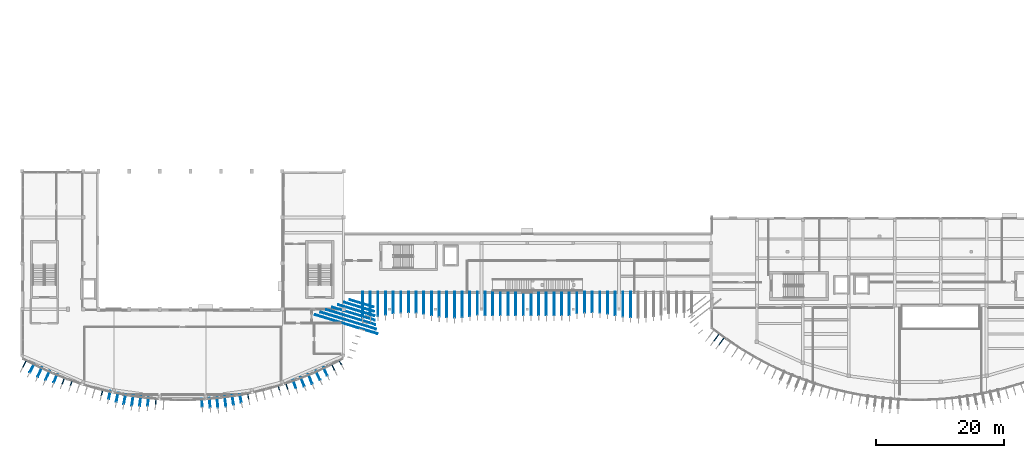
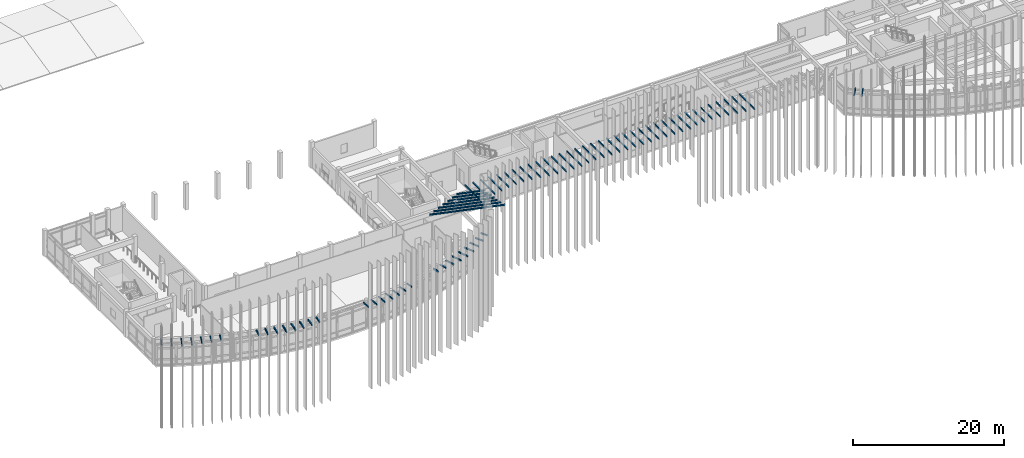
# One storey, part 36 of 47: 76 discrete accessories.
"""IFC4 building model written with IfcOpenShell, lengths in metres."""

import ifcopenshell
import ifcopenshell.guid

model = None  # the IFC model being written
_history = None  # IfcOwnerHistory: only IFC2X3 demands one
_inside = {}  # id of a spatial element -> (the spatial element, [elements in it])
_under = {}  # id of a project, library or spatial element -> (it, [spatial elements below it])
_declared = {}  # id of a project -> (the project, [libraries it declares])
_typed = {}  # id of a type object -> (the type object, [elements of that type])
_made_of = {}  # id of a material, layer set ... -> (it, [elements and type objects made of it])


def new_model(schema):
    """Start an empty IFC model of exactly this schema.

    Asked for "IFC4X3", IfcOpenShell would pick the latest addendum, in which some entities
    have other attributes; the version numbers below select the first issue.
    IFC2X3 requires an IfcOwnerHistory on every rooted entity: one is made here for all.
    """
    global model, _history
    if schema == "IFC4X3":
        model = ifcopenshell.file(schema_version=(4, 3, 0, 0))
    else:
        model = ifcopenshell.file(schema=schema)
    _inside.clear()
    _under.clear()
    _declared.clear()
    _typed.clear()
    _made_of.clear()
    _history = None
    if model.schema == "IFC2X3":
        org = make("IfcOrganization", Name="unknown")
        user = make(
            "IfcPersonAndOrganization",
            ThePerson=make("IfcPerson", FamilyName="unknown"),
            TheOrganization=org,
        )
        app = make(
            "IfcApplication",
            ApplicationDeveloper=org,
            Version="unknown",
            ApplicationFullName="unknown",
            ApplicationIdentifier="unknown",
        )
        _history = make(
            "IfcOwnerHistory",
            OwningUser=user,
            OwningApplication=app,
            ChangeAction="ADDED",
            CreationDate=0,
        )
    return model


def make(cls, **values):
    """One entity of the class cls with the attributes given. An attribute that is None is left unset."""
    return model.create_entity(
        cls, **{name: value for name, value in values.items() if value is not None}
    )


def rooted(cls, **values):
    """An entity with a GlobalId (a new one), such as an element, a storey or a relation."""
    return make(cls, GlobalId=ifcopenshell.guid.new(), OwnerHistory=_history, **values)


def si_unit(unit_type, name, prefix=None):
    """IfcSIUnit, for example si_unit("LENGTHUNIT", "METRE", prefix="MILLI")."""
    return make("IfcSIUnit", UnitType=unit_type, Prefix=prefix, Name=name)


def assignment(units):
    """IfcUnitAssignment: the units of a project."""
    return None if units is None else make("IfcUnitAssignment", Units=units)


def point(xyz):
    """IfcCartesianPoint."""
    return None if xyz is None else make("IfcCartesianPoint", Coordinates=xyz)


def direction(xyz):
    """IfcDirection."""
    return None if xyz is None else make("IfcDirection", DirectionRatios=xyz)


def frame(location, z_axis=None, x_axis=None):
    """IfcAxis2Placement3D, a coordinate frame: its origin and axes. An axis left out is left unset."""
    return make(
        "IfcAxis2Placement3D",
        Location=point(location),
        Axis=direction(z_axis),
        RefDirection=direction(x_axis),
    )


def frame_2d(location, x_axis=None):
    """IfcAxis2Placement2D, a coordinate frame in the plane: its origin and x axis."""
    return make(
        "IfcAxis2Placement2D", Location=point(location), RefDirection=direction(x_axis)
    )


def origin():
    """The frame at (0, 0, 0) with its axes left unset."""
    return frame((0.0, 0.0, 0.0))


def origin_2d():
    """The frame at (0, 0) in the plane with its x axis left unset."""
    return frame_2d((0.0, 0.0))


def place(relative_to, where):
    """IfcLocalPlacement: puts the frame where relative to a parent placement (None: the world)."""
    return make(
        "IfcLocalPlacement", PlacementRelTo=relative_to, RelativePlacement=where
    )


def context(
    kind, dimensions, precision=None, world=None, true_north=None, identifier=None
):
    """IfcGeometricRepresentationContext, for example the 3D "Model" context."""
    return make(
        "IfcGeometricRepresentationContext",
        ContextIdentifier=identifier,
        ContextType=kind,
        CoordinateSpaceDimension=dimensions,
        Precision=precision,
        WorldCoordinateSystem=world,
        TrueNorth=true_north,
    )


def subcontext(parent, identifier, kind, view, scale=None):
    """IfcGeometricRepresentationSubContext, for example "Body" below "Model"."""
    return make(
        "IfcGeometricRepresentationSubContext",
        ContextIdentifier=identifier,
        ContextType=kind,
        ParentContext=parent,
        TargetScale=scale,
        TargetView=view,
    )


def project(units=None, contexts=None):
    """IfcProject with its units and contexts."""
    return rooted(
        "IfcProject",
        Name="project",
        RepresentationContexts=contexts,
        UnitsInContext=assignment(units),
    )


def spatial(cls, under=None, at=None, **own):
    """A site, building, storey or space (cls), placed at a placement, below another one or the project."""
    s = rooted(cls, ObjectPlacement=at, **own)
    if under is not None:
        _under.setdefault(under.id(), (under, []))[1].append(s)
    return s


def profile(cls, at=None, kind="AREA", **sizes):
    """A parametric profile (cls). Its sizes go by their IFC names, for example OverallWidth=200.0."""
    return make(cls, ProfileType=kind, Position=at, **sizes)


def rectangle(**sizes):
    """IfcRectangleProfileDef."""
    return profile("IfcRectangleProfileDef", **sizes)


def extrude(swept, where, along, depth):
    """IfcExtrudedAreaSolid: the profile swept, set in the frame where, extruded along a direction by depth."""
    return make(
        "IfcExtrudedAreaSolid",
        SweptArea=swept,
        Position=where,
        ExtrudedDirection=direction(along),
        Depth=depth,
    )


def shape(context_of_items, identifier, shape_type, items):
    """IfcShapeRepresentation: the items that make up one representation, for example the "Body"."""
    return make(
        "IfcShapeRepresentation",
        ContextOfItems=context_of_items,
        RepresentationIdentifier=identifier,
        RepresentationType=shape_type,
        Items=items,
    )


def material(Name=None, Category=None):
    """IfcMaterial."""
    return make("IfcMaterial", Name=Name, Category=Category)


def made_of(thing, what):
    """Note that an element or type object is made of a material, layer set ...; save() writes the relation."""
    if what is not None:
        _made_of.setdefault(what.id(), (what, []))[1].append(thing)
    return thing


def type_object(cls, material=None, **own):
    """A type object (cls), such as IfcWallType, which elements share."""
    return made_of(rooted(cls, **own), material)


def element(
    cls,
    number,
    at=None,
    inside=None,
    cuts=None,
    type_object=None,
    material=None,
    context=None,
    identifier="Body",
    shape_type=None,
    held_by="IfcProductDefinitionShape",
    body=None,
    shapes=None,
    **own,
):
    """One element of the class cls, such as IfcWall. Its Tag is "e" and its number.

    at: its placement. inside: the storey or other place that contains it. cuts: it is an
    opening in that element (IfcRelVoidsElement). A single representation is given by context,
    identifier, shape_type and body (its items); several are given by shapes. held_by: the class
    of the entity that holds the representations. save() writes the other relations.
    """
    e = rooted(cls, Tag="e%d" % number, ObjectPlacement=at, **own)
    if body is not None:
        shapes = [shape(context, identifier, shape_type, body)]
    if shapes is not None:
        e.Representation = make(held_by, Representations=shapes)
    if inside is not None:
        _inside.setdefault(inside.id(), (inside, []))[1].append(e)
    if cuts is not None:
        rooted(
            "IfcRelVoidsElement", RelatingBuildingElement=cuts, RelatedOpeningElement=e
        )
    if type_object is not None:
        _typed.setdefault(type_object.id(), (type_object, []))[1].append(e)
    return made_of(e, material)


def aggregate(whole, parts):
    """IfcRelAggregates: a whole, such as a stair, and the parts it consists of."""
    return rooted("IfcRelAggregates", RelatingObject=whole, RelatedObjects=parts)


def save(model, path):
    """Write the relations noted so far, then the file.

    IfcRelAggregates (storeys below a building ...), IfcRelContainedInSpatialStructure (elements
    in a storey), IfcRelDefinesByType, IfcRelAssociatesMaterial and IfcRelDeclares: one each for
    every whole, place, type object, material and project.
    """
    for whole, parts in _under.values():
        aggregate(whole, parts)
    for where, things in _inside.values():
        rooted(
            "IfcRelContainedInSpatialStructure",
            RelatedElements=things,
            RelatingStructure=where,
        )
    for kind, things in _typed.values():
        rooted("IfcRelDefinesByType", RelatedObjects=things, RelatingType=kind)
    for what, things in _made_of.values():
        rooted("IfcRelAssociatesMaterial", RelatedObjects=things, RelatingMaterial=what)
    for by, libraries in _declared.values():
        rooted("IfcRelDeclares", RelatingContext=by, RelatedDefinitions=libraries)
    model.write(path)


model = new_model("IFC4")

# Units and contexts
model_context = context("Model", 3, precision=1e-05, world=origin(), true_north=direction((0.0, 1.0)))
body_context = subcontext(model_context, "Body", "Model", "MODEL_VIEW")
ifc_project = project(units=[si_unit("LENGTHUNIT", "METRE"), si_unit("AREAUNIT", "SQUARE_METRE"), si_unit("VOLUMEUNIT", "CUBIC_METRE"), si_unit("PLANEANGLEUNIT", "RADIAN"), si_unit("MASSUNIT", "GRAM", prefix="KILO")], contexts=[model_context])

# Site, building, storey
site_placement = place(None, origin())
site = spatial("IfcSite", under=ifc_project, at=site_placement, CompositionType="ELEMENT")
building_placement = place(site_placement, origin())
building = spatial("IfcBuilding", under=site, at=building_placement, Name="Brisavento Harbour Community Centre", CompositionType="ELEMENT")
storey_placement = place(building_placement, frame((0.0, 0.0, 8.699951171875)))
storey = spatial("IfcBuildingStorey", under=building, at=storey_placement, Name="L02", CompositionType="ELEMENT", Elevation=8.699951171875)

# Discrete accessories
ifc_material = material(Name="Stainless steel 1.4401", Category="steel")
discrete_accessory_type = type_object("IfcDiscreteAccessoryType", Name="BRK-FIN-SS", PredefinedType="BRACKET", material=ifc_material)
discrete_accessory_1_placement = place(storey_placement, frame((0.431884765625, 5.878662109375, 3.97998046875), z_axis=(0.0, 0.0, 1.0), x_axis=(-0.461702168823, -0.887035009063, 0.0)))
element("IfcDiscreteAccessory", 1, at=discrete_accessory_1_placement, inside=storey, type_object=discrete_accessory_type, Name="Stainless-steel storm-fin bracket 001.4", PredefinedType="BRACKET", context=body_context, shape_type="SweptSolid", body=[
    extrude(rectangle(XDim=1.32861328125, YDim=0.139892578125, at=origin_2d()), origin(), (0.0, 0.0, 1.0), 0.199951171875),
])
discrete_accessory_2_placement = place(storey_placement, frame((1.58447265625, 5.1630859375, 3.97998046875), z_axis=(0.0, 0.0, 1.0), x_axis=(-0.461702168823, -0.887035009063, 0.0)))
element("IfcDiscreteAccessory", 2, at=discrete_accessory_2_placement, inside=storey, type_object=discrete_accessory_type, Name="Stainless-steel storm-fin bracket 002.4", PredefinedType="BRACKET", context=body_context, shape_type="SweptSolid", body=[
    extrude(rectangle(XDim=1.533935546875, YDim=0.139892578125, at=origin_2d()), origin(), (0.0, 0.0, 1.0), 0.199951171875),
])
discrete_accessory_3_placement = place(storey_placement, frame((2.786376953125, 4.5234375, 3.97998046875), z_axis=(0.0, 0.0, 1.0), x_axis=(-0.415518926407, -0.909584532519, 0.0)))
element("IfcDiscreteAccessory", 3, at=discrete_accessory_3_placement, inside=storey, type_object=discrete_accessory_type, Name="Stainless-steel storm-fin bracket 003.4", PredefinedType="BRACKET", context=body_context, shape_type="SweptSolid", body=[
    extrude(rectangle(XDim=1.627685546875, YDim=0.139892578125, at=origin_2d()), origin(), (0.0, 0.0, 1.0), 0.199951171875),
])
discrete_accessory_4_placement = place(storey_placement, frame((3.99560546875, 3.99560546875, 3.97998046875), z_axis=(0.0, 0.0, 1.0), x_axis=(-0.415518926407, -0.909584532519, 0.0)))
element("IfcDiscreteAccessory", 4, at=discrete_accessory_4_placement, inside=storey, type_object=discrete_accessory_type, Name="Stainless-steel storm-fin bracket 004.4", PredefinedType="BRACKET", context=body_context, shape_type="SweptSolid", body=[
    extrude(rectangle(XDim=1.583251953125, YDim=0.139892578125, at=origin_2d()), origin(), (0.0, 0.0, 1.0), 0.199951171875),
])
discrete_accessory_5_placement = place(storey_placement, frame((5.248779296875, 3.549560546875, 3.97998046875), z_axis=(0.0, 0.0, 1.0), x_axis=(-0.369341311525, -0.92929381554, 0.0)))
element("IfcDiscreteAccessory", 5, at=discrete_accessory_5_placement, inside=storey, type_object=discrete_accessory_type, Name="Stainless-steel storm-fin bracket 005.4", PredefinedType="BRACKET", context=body_context, shape_type="SweptSolid", body=[
    extrude(rectangle(XDim=1.419189453125, YDim=0.139892578125, at=origin_2d()), origin(), (0.0, 0.0, 1.0), 0.199951171875),
])
discrete_accessory_6_placement = place(storey_placement, frame((6.490966796875, 3.17919921875, 3.97998046875), z_axis=(0.0, 0.0, 1.0), x_axis=(-0.369341311525, -0.92929381554, 0.0)))
element("IfcDiscreteAccessory", 6, at=discrete_accessory_6_placement, inside=storey, type_object=discrete_accessory_type, Name="Stainless-steel storm-fin bracket 006.4", PredefinedType="BRACKET", context=body_context, shape_type="SweptSolid", body=[
    extrude(rectangle(XDim=1.18994140625, YDim=0.139892578125, at=origin_2d()), origin(), (0.0, 0.0, 1.0), 0.199951171875),
])
discrete_accessory_7_placement = place(storey_placement, frame((7.74072265625, 2.836181640625, 3.97998046875), z_axis=(0.0, 0.0, 1.0), x_axis=(-0.323174264667, -0.94633947115, 0.0)))
element("IfcDiscreteAccessory", 7, at=discrete_accessory_7_placement, inside=storey, type_object=discrete_accessory_type, Name="Stainless-steel storm-fin bracket 007.4", PredefinedType="BRACKET", context=body_context, shape_type="SweptSolid", body=[
    extrude(rectangle(XDim=0.96728515625, YDim=0.139892578125, at=origin_2d()), origin(), (0.0, 0.0, 1.0), 0.199951171875),
])
discrete_accessory_8_placement = place(storey_placement, frame((12.54736328125, 1.339111328125, 3.97998046875), z_axis=(0.0, 0.0, 1.0), x_axis=(-0.230830981037, -0.972993863389, 0.0)))
element("IfcDiscreteAccessory", 8, at=discrete_accessory_8_placement, inside=storey, type_object=discrete_accessory_type, Name="Stainless-steel storm-fin bracket 011.4", PredefinedType="BRACKET", context=body_context, shape_type="SweptSolid", body=[
    extrude(rectangle(XDim=1.0556640625, YDim=0.139892578125, at=origin_2d()), origin(), (0.0, 0.0, 1.0), 0.199951171875),
])
discrete_accessory_9_placement = place(storey_placement, frame((13.721435546875, 0.945068359375, 3.97998046875), z_axis=(0.0, 0.0, 1.0), x_axis=(-0.230830981037, -0.972993863389, 0.0)))
element("IfcDiscreteAccessory", 9, at=discrete_accessory_9_placement, inside=storey, type_object=discrete_accessory_type, Name="Stainless-steel storm-fin bracket 012.4", PredefinedType="BRACKET", context=body_context, shape_type="SweptSolid", body=[
    extrude(rectangle(XDim=1.28076171875, YDim=0.139892578125, at=origin_2d()), origin(), (0.0, 0.0, 1.0), 0.199951171875),
])
discrete_accessory_10_placement = place(storey_placement, frame((14.91845703125, 0.5869140625, 3.97998046875), z_axis=(0.0, 0.0, 1.0), x_axis=(-0.184671830369, -0.982800241691, 0.0)))
element("IfcDiscreteAccessory", 10, at=discrete_accessory_10_placement, inside=storey, type_object=discrete_accessory_type, Name="Stainless-steel storm-fin bracket 013.4", PredefinedType="BRACKET", context=body_context, shape_type="SweptSolid", body=[
    extrude(rectangle(XDim=1.4833984375, YDim=0.139892578125, at=origin_2d()), origin(), (0.0, 0.0, 1.0), 0.199951171875),
])
discrete_accessory_11_placement = place(storey_placement, frame((16.10693359375, 0.30029296875, 3.97998046875), z_axis=(0.0, 0.0, 1.0), x_axis=(-0.184671830369, -0.982800241691, 0.0)))
element("IfcDiscreteAccessory", 11, at=discrete_accessory_11_placement, inside=storey, type_object=discrete_accessory_type, Name="Stainless-steel storm-fin bracket 014.4", PredefinedType="BRACKET", context=body_context, shape_type="SweptSolid", body=[
    extrude(rectangle(XDim=1.60791015625, YDim=0.139892578125, at=origin_2d()), origin(), (0.0, 0.0, 1.0), 0.199951171875),
])
discrete_accessory_12_placement = place(storey_placement, frame((17.329345703125, 0.093505859375, 3.97998046875), z_axis=(0.0, 0.0, 1.0), x_axis=(-0.138499014678, -0.990362571452, 0.0)))
element("IfcDiscreteAccessory", 12, at=discrete_accessory_12_placement, inside=storey, type_object=discrete_accessory_type, Name="Stainless-steel storm-fin bracket 015.4", PredefinedType="BRACKET", context=body_context, shape_type="SweptSolid", body=[
    extrude(rectangle(XDim=1.620849609375, YDim=0.139892578125, at=origin_2d()), origin(), (0.0, 0.0, 1.0), 0.199951171875),
])
discrete_accessory_13_placement = place(storey_placement, frame((18.536376953125, -0.0244140625, 3.97998046875), z_axis=(0.0, 0.0, 1.0), x_axis=(-0.138499014678, -0.990362571452, 0.0)))
element("IfcDiscreteAccessory", 13, at=discrete_accessory_13_placement, inside=storey, type_object=discrete_accessory_type, Name="Stainless-steel storm-fin bracket 016.4", PredefinedType="BRACKET", context=body_context, shape_type="SweptSolid", body=[
    extrude(rectangle(XDim=1.52001953125, YDim=0.139892578125, at=origin_2d()), origin(), (0.0, 0.0, 1.0), 0.199951171875),
])
discrete_accessory_14_placement = place(storey_placement, frame((19.76611328125, -0.073486328125, 3.97998046875), z_axis=(0.0, 0.0, 1.0), x_axis=(-0.092335830041, -0.99572792192, 0.0)))
element("IfcDiscreteAccessory", 14, at=discrete_accessory_14_placement, inside=storey, type_object=discrete_accessory_type, Name="Stainless-steel storm-fin bracket 017.4", PredefinedType="BRACKET", context=body_context, shape_type="SweptSolid", body=[
    extrude(rectangle(XDim=1.333740234375, YDim=0.139892578125, at=origin_2d()), origin(), (0.0, 0.0, 1.0), 0.199951171875),
])
discrete_accessory_15_placement = place(storey_placement, frame((20.976318359375, -0.074951171875, 3.97998046875), z_axis=(0.0, 0.0, 1.0), x_axis=(-0.092335830041, -0.99572792192, 0.0)))
element("IfcDiscreteAccessory", 15, at=discrete_accessory_15_placement, inside=storey, type_object=discrete_accessory_type, Name="Stainless-steel storm-fin bracket 018.4", PredefinedType="BRACKET", context=body_context, shape_type="SweptSolid", body=[
    extrude(rectangle(XDim=1.11279296875, YDim=0.139892578125, at=origin_2d()), origin(), (0.0, 0.0, 1.0), 0.199951171875),
])
discrete_accessory_16_placement = place(storey_placement, frame((28.216064453125, -0.251708984375, 3.97998046875), z_axis=(0.0, 0.0, 1.0), x_axis=(0.0461649984, -0.9989338281, 0.0)))
element("IfcDiscreteAccessory", 16, at=discrete_accessory_16_placement, inside=storey, type_object=discrete_accessory_type, Name="Stainless-steel storm-fin bracket 020.4", PredefinedType="BRACKET", context=body_context, shape_type="SweptSolid", body=[
    extrude(rectangle(XDim=1.29833984375, YDim=0.139892578125, at=origin_2d()), origin(), (0.0, 0.0, 1.0), 0.199951171875),
])
discrete_accessory_17_placement = place(storey_placement, frame((29.441162109375, -0.264404296875, 3.97998046875), z_axis=(0.0, 0.0, 1.0), x_axis=(0.092335830041, -0.99572792192, 0.0)))
element("IfcDiscreteAccessory", 17, at=discrete_accessory_17_placement, inside=storey, type_object=discrete_accessory_type, Name="Stainless-steel storm-fin bracket 021.4", PredefinedType="BRACKET", context=body_context, shape_type="SweptSolid", body=[
    extrude(rectangle(XDim=1.49365234375, YDim=0.139892578125, at=origin_2d()), origin(), (0.0, 0.0, 1.0), 0.199951171875),
])
discrete_accessory_18_placement = place(storey_placement, frame((30.646728515625, -0.211669921875, 3.97998046875), z_axis=(0.0, 0.0, 1.0), x_axis=(0.092335830041, -0.99572792192, 0.0)))
element("IfcDiscreteAccessory", 18, at=discrete_accessory_18_placement, inside=storey, type_object=discrete_accessory_type, Name="Stainless-steel storm-fin bracket 022.4", PredefinedType="BRACKET", context=body_context, shape_type="SweptSolid", body=[
    extrude(rectangle(XDim=1.611083984375, YDim=0.139892578125, at=origin_2d()), origin(), (0.0, 0.0, 1.0), 0.199951171875),
])
discrete_accessory_19_placement = place(storey_placement, frame((31.87060546875, -0.0732421875, 3.97998046875), z_axis=(0.0, 0.0, 1.0), x_axis=(0.138499014678, -0.990362571452, 0.0)))
element("IfcDiscreteAccessory", 19, at=discrete_accessory_19_placement, inside=storey, type_object=discrete_accessory_type, Name="Stainless-steel storm-fin bracket 023.4", PredefinedType="BRACKET", context=body_context, shape_type="SweptSolid", body=[
    extrude(rectangle(XDim=1.618896484375, YDim=0.139892578125, at=origin_2d()), origin(), (0.0, 0.0, 1.0), 0.199951171875),
])
discrete_accessory_20_placement = place(storey_placement, frame((33.063232421875, 0.146484375, 3.97998046875), z_axis=(0.0, 0.0, 1.0), x_axis=(0.138499014678, -0.990362571452, 0.0)))
element("IfcDiscreteAccessory", 20, at=discrete_accessory_20_placement, inside=storey, type_object=discrete_accessory_type, Name="Stainless-steel storm-fin bracket 024.4", PredefinedType="BRACKET", context=body_context, shape_type="SweptSolid", body=[
    extrude(rectangle(XDim=1.513916015625, YDim=0.139892578125, at=origin_2d()), origin(), (0.0, 0.0, 1.0), 0.199951171875),
])
discrete_accessory_21_placement = place(storey_placement, frame((34.266845703125, 0.440185546875, 3.97998046875), z_axis=(0.0, 0.0, 1.0), x_axis=(0.184671830369, -0.982800241691, 0.0)))
element("IfcDiscreteAccessory", 21, at=discrete_accessory_21_placement, inside=storey, type_object=discrete_accessory_type, Name="Stainless-steel storm-fin bracket 025.4", PredefinedType="BRACKET", context=body_context, shape_type="SweptSolid", body=[
    extrude(rectangle(XDim=1.323486328125, YDim=0.139892578125, at=origin_2d()), origin(), (0.0, 0.0, 1.0), 0.199951171875),
])
discrete_accessory_22_placement = place(storey_placement, frame((35.4462890625, 0.775634765625, 3.97998046875), z_axis=(0.0, 0.0, 1.0), x_axis=(0.184671830369, -0.982800241691, 0.0)))
element("IfcDiscreteAccessory", 22, at=discrete_accessory_22_placement, inside=storey, type_object=discrete_accessory_type, Name="Stainless-steel storm-fin bracket 026.4", PredefinedType="BRACKET", context=body_context, shape_type="SweptSolid", body=[
    extrude(rectangle(XDim=1.099853515625, YDim=0.139892578125, at=origin_2d()), origin(), (0.0, 0.0, 1.0), 0.199951171875),
])
discrete_accessory_23_placement = place(storey_placement, frame((40.244384765625, 2.06787109375, 3.97998046875), z_axis=(0.0, 0.0, 1.0), x_axis=(0.276996031628, -0.96087106235, 0.0)))
element("IfcDiscreteAccessory", 23, at=discrete_accessory_23_placement, inside=storey, type_object=discrete_accessory_type, Name="Stainless-steel storm-fin bracket 030.4", PredefinedType="BRACKET", context=body_context, shape_type="SweptSolid", body=[
    extrude(rectangle(XDim=0.921142578125, YDim=0.139892578125, at=origin_2d()), origin(), (0.0, 0.0, 1.0), 0.199951171875),
])
discrete_accessory_24_placement = place(storey_placement, frame((41.4853515625, 2.350341796875, 3.97998046875), z_axis=(0.0, 0.0, 1.0), x_axis=(0.323174264667, -0.94633947115, 0.0)))
element("IfcDiscreteAccessory", 24, at=discrete_accessory_24_placement, inside=storey, type_object=discrete_accessory_type, Name="Stainless-steel storm-fin bracket 031.4", PredefinedType="BRACKET", context=body_context, shape_type="SweptSolid", body=[
    extrude(rectangle(XDim=1.1279296875, YDim=0.139892578125, at=origin_2d()), origin(), (0.0, 0.0, 1.0), 0.199951171875),
])
discrete_accessory_25_placement = place(storey_placement, frame((42.72265625, 2.650634765625, 3.97998046875), z_axis=(0.0, 0.0, 1.0), x_axis=(0.323174264667, -0.94633947115, 0.0)))
element("IfcDiscreteAccessory", 25, at=discrete_accessory_25_placement, inside=storey, type_object=discrete_accessory_type, Name="Stainless-steel storm-fin bracket 032.4", PredefinedType="BRACKET", context=body_context, shape_type="SweptSolid", body=[
    extrude(rectangle(XDim=1.359130859375, YDim=0.139892578125, at=origin_2d()), origin(), (0.0, 0.0, 1.0), 0.199951171875),
])
discrete_accessory_26_placement = place(storey_placement, frame((43.974609375, 3.013916015625, 3.97998046875), z_axis=(0.0, 0.0, 1.0), x_axis=(0.369341311525, -0.92929381554, 0.0)))
element("IfcDiscreteAccessory", 26, at=discrete_accessory_26_placement, inside=storey, type_object=discrete_accessory_type, Name="Stainless-steel storm-fin bracket 033.4", PredefinedType="BRACKET", context=body_context, shape_type="SweptSolid", body=[
    extrude(rectangle(XDim=1.54541015625, YDim=0.139892578125, at=origin_2d()), origin(), (0.0, 0.0, 1.0), 0.199951171875),
])
discrete_accessory_27_placement = place(storey_placement, frame((45.18994140625, 3.4521484375, 3.97998046875), z_axis=(0.0, 0.0, 1.0), x_axis=(0.369341311525, -0.92929381554, 0.0)))
element("IfcDiscreteAccessory", 27, at=discrete_accessory_27_placement, inside=storey, type_object=discrete_accessory_type, Name="Stainless-steel storm-fin bracket 034.4", PredefinedType="BRACKET", context=body_context, shape_type="SweptSolid", body=[
    extrude(rectangle(XDim=1.628662109375, YDim=0.139892578125, at=origin_2d()), origin(), (0.0, 0.0, 1.0), 0.199951171875),
])
discrete_accessory_28_placement = place(storey_placement, frame((46.403564453125, 3.9970703125, 3.97998046875), z_axis=(0.0, 0.0, 1.0), x_axis=(0.415518926407, -0.909584532519, 0.0)))
element("IfcDiscreteAccessory", 28, at=discrete_accessory_28_placement, inside=storey, type_object=discrete_accessory_type, Name="Stainless-steel storm-fin bracket 035.4", PredefinedType="BRACKET", context=body_context, shape_type="SweptSolid", body=[
    extrude(rectangle(XDim=1.57958984375, YDim=0.139892578125, at=origin_2d()), origin(), (0.0, 0.0, 1.0), 0.199951171875),
])
discrete_accessory_29_placement = place(storey_placement, frame((47.568359375, 4.62255859375, 3.97998046875), z_axis=(0.0, 0.0, 1.0), x_axis=(0.415518926407, -0.909584532519, 0.0)))
element("IfcDiscreteAccessory", 29, at=discrete_accessory_29_placement, inside=storey, type_object=discrete_accessory_type, Name="Stainless-steel storm-fin bracket 036.4", PredefinedType="BRACKET", context=body_context, shape_type="SweptSolid", body=[
    extrude(rectangle(XDim=1.41015625, YDim=0.139892578125, at=origin_2d()), origin(), (0.0, 0.0, 1.0), 0.199951171875),
])
discrete_accessory_30_placement = place(storey_placement, frame((48.73193359375, 5.323974609375, 3.97998046875), z_axis=(0.0, 0.0, 1.0), x_axis=(0.461702168823, -0.887035009063, 0.0)))
element("IfcDiscreteAccessory", 30, at=discrete_accessory_30_placement, inside=storey, type_object=discrete_accessory_type, Name="Stainless-steel storm-fin bracket 037.4", PredefinedType="BRACKET", context=body_context, shape_type="SweptSolid", body=[
    extrude(rectangle(XDim=1.17138671875, YDim=0.139892578125, at=origin_2d()), origin(), (0.0, 0.0, 1.0), 0.199951171875),
])
discrete_accessory_31_placement = place(storey_placement, frame((49.878662109375, 6.050537109375, 3.97998046875), z_axis=(0.0, 0.0, 1.0), x_axis=(0.461702168823, -0.887035009063, 0.0)))
element("IfcDiscreteAccessory", 31, at=discrete_accessory_31_placement, inside=storey, type_object=discrete_accessory_type, Name="Stainless-steel storm-fin bracket 038.4", PredefinedType="BRACKET", context=body_context, shape_type="SweptSolid", body=[
    extrude(rectangle(XDim=0.941162109375, YDim=0.139892578125, at=origin_2d()), origin(), (0.0, 0.0, 1.0), 0.199951171875),
])
discrete_accessory_32_placement = place(storey_placement, frame((50.813232421875, 12.0400390625, 3.97998046875), z_axis=(0.0, 0.0, 1.0), x_axis=(0.956676487643, -0.291153049083, 0.0)))
element("IfcDiscreteAccessory", 32, at=discrete_accessory_32_placement, inside=storey, type_object=discrete_accessory_type, Name="Stainless-steel storm-fin bracket 039.4", PredefinedType="BRACKET", context=body_context, shape_type="SweptSolid", body=[
    extrude(rectangle(XDim=10.231201171875, YDim=0.139892578125, at=origin_2d()), origin(), (0.0, 0.0, 1.0), 0.199951171875),
])
discrete_accessory_33_placement = place(storey_placement, frame((51.146728515625, 12.606201171875, 3.97998046875), z_axis=(0.0, 0.0, 1.0), x_axis=(0.956676487643, -0.291153049083, 0.0)))
element("IfcDiscreteAccessory", 33, at=discrete_accessory_33_placement, inside=storey, type_object=discrete_accessory_type, Name="Stainless-steel storm-fin bracket 040.4", PredefinedType="BRACKET", context=body_context, shape_type="SweptSolid", body=[
    extrude(rectangle(XDim=9.099365234375, YDim=0.139892578125, at=origin_2d()), origin(), (0.0, 0.0, 1.0), 0.199951171875),
])
discrete_accessory_34_placement = place(storey_placement, frame((51.53173828125, 13.15673828125, 3.97998046875), z_axis=(0.0, 0.0, 1.0), x_axis=(0.956676487643, -0.291153049083, 0.0)))
element("IfcDiscreteAccessory", 34, at=discrete_accessory_34_placement, inside=storey, type_object=discrete_accessory_type, Name="Stainless-steel storm-fin bracket 041.4", PredefinedType="BRACKET", context=body_context, shape_type="SweptSolid", body=[
    extrude(rectangle(XDim=8.005615234375, YDim=0.139892578125, at=origin_2d()), origin(), (0.0, 0.0, 1.0), 0.199951171875),
])
discrete_accessory_35_placement = place(storey_placement, frame((51.957763671875, 13.694580078125, 3.97998046875), z_axis=(0.0, 0.0, 1.0), x_axis=(0.956676487643, -0.291153049083, 0.0)))
element("IfcDiscreteAccessory", 35, at=discrete_accessory_35_placement, inside=storey, type_object=discrete_accessory_type, Name="Stainless-steel storm-fin bracket 042.4", PredefinedType="BRACKET", context=body_context, shape_type="SweptSolid", body=[
    extrude(rectangle(XDim=6.947509765625, YDim=0.139892578125, at=origin_2d()), origin(), (0.0, 0.0, 1.0), 0.199951171875),
])
discrete_accessory_36_placement = place(storey_placement, frame((52.4033203125, 14.226806640625, 3.97998046875), z_axis=(0.0, 0.0, 1.0), x_axis=(0.956676487643, -0.291153049083, 0.0)))
element("IfcDiscreteAccessory", 36, at=discrete_accessory_36_placement, inside=storey, type_object=discrete_accessory_type, Name="Stainless-steel storm-fin bracket 043.4", PredefinedType="BRACKET", context=body_context, shape_type="SweptSolid", body=[
    extrude(rectangle(XDim=5.918701171875, YDim=0.139892578125, at=origin_2d()), origin(), (0.0, 0.0, 1.0), 0.199951171875),
])
discrete_accessory_37_placement = place(storey_placement, frame((52.841552734375, 14.760986328125, 3.97998046875), z_axis=(0.0, 0.0, 1.0), x_axis=(0.956676487643, -0.291153049083, 0.0)))
element("IfcDiscreteAccessory", 37, at=discrete_accessory_37_placement, inside=storey, type_object=discrete_accessory_type, Name="Stainless-steel storm-fin bracket 044.4", PredefinedType="BRACKET", context=body_context, shape_type="SweptSolid", body=[
    extrude(rectangle(XDim=4.90576171875, YDim=0.139892578125, at=origin_2d()), origin(), (0.0, 0.0, 1.0), 0.199951171875),
])
discrete_accessory_38_placement = place(storey_placement, frame((53.248046875, 15.304931640625, 3.97998046875), z_axis=(0.0, 0.0, 1.0), x_axis=(0.956676487643, -0.291153049083, 0.0)))
element("IfcDiscreteAccessory", 38, at=discrete_accessory_38_placement, inside=storey, type_object=discrete_accessory_type, Name="Stainless-steel storm-fin bracket 045.4", PredefinedType="BRACKET", context=body_context, shape_type="SweptSolid", body=[
    extrude(rectangle(XDim=3.892822265625, YDim=0.139892578125, at=origin_2d()), origin(), (0.0, 0.0, 1.0), 0.199951171875),
])
discrete_accessory_39_placement = place(storey_placement, frame((53.39990234375, 15.111328125, 3.97998046875), z_axis=(0.0, 0.0, 1.0), x_axis=(0.0, -1.0, 0.0)))
element("IfcDiscreteAccessory", 39, at=discrete_accessory_39_placement, inside=storey, type_object=discrete_accessory_type, Name="Stainless-steel storm-fin bracket 046.4", PredefinedType="BRACKET", context=body_context, shape_type="SweptSolid", body=[
    extrude(rectangle(XDim=4.077392578125, YDim=0.139892578125, at=origin_2d()), origin(), (0.0, 0.0, 1.0), 0.199951171875),
])
discrete_accessory_40_placement = place(storey_placement, frame((54.60009765625, 15.1513671875, 3.97998046875), z_axis=(0.0, 0.0, 1.0), x_axis=(0.0, -1.0, 0.0)))
element("IfcDiscreteAccessory", 40, at=discrete_accessory_40_placement, inside=storey, type_object=discrete_accessory_type, Name="Stainless-steel storm-fin bracket 047.4", PredefinedType="BRACKET", context=body_context, shape_type="SweptSolid", body=[
    extrude(rectangle(XDim=3.997314453125, YDim=0.139892578125, at=origin_2d()), origin(), (0.0, 0.0, 1.0), 0.199951171875),
])
discrete_accessory_41_placement = place(storey_placement, frame((55.800048828125, 15.2373046875, 3.97998046875), z_axis=(0.0, 0.0, 1.0), x_axis=(0.0, -1.0, 0.0)))
element("IfcDiscreteAccessory", 41, at=discrete_accessory_41_placement, inside=storey, type_object=discrete_accessory_type, Name="Stainless-steel storm-fin bracket 048.4", PredefinedType="BRACKET", context=body_context, shape_type="SweptSolid", body=[
    extrude(rectangle(XDim=3.825439453125, YDim=0.139892578125, at=origin_2d()), origin(), (0.0, 0.0, 1.0), 0.199951171875),
])
discrete_accessory_42_placement = place(storey_placement, frame((57.0, 15.345947265625, 3.97998046875), z_axis=(0.0, 0.0, 1.0), x_axis=(0.0, -1.0, 0.0)))
element("IfcDiscreteAccessory", 42, at=discrete_accessory_42_placement, inside=storey, type_object=discrete_accessory_type, Name="Stainless-steel storm-fin bracket 049.4", PredefinedType="BRACKET", context=body_context, shape_type="SweptSolid", body=[
    extrude(rectangle(XDim=3.60791015625, YDim=0.139892578125, at=origin_2d()), origin(), (0.0, 0.0, 1.0), 0.199951171875),
])
discrete_accessory_43_placement = place(storey_placement, frame((58.199951171875, 15.448486328125, 3.97998046875), z_axis=(0.0, 0.0, 1.0), x_axis=(0.0, -1.0, 0.0)))
element("IfcDiscreteAccessory", 43, at=discrete_accessory_43_placement, inside=storey, type_object=discrete_accessory_type, Name="Stainless-steel storm-fin bracket 050.4", PredefinedType="BRACKET", context=body_context, shape_type="SweptSolid", body=[
    extrude(rectangle(XDim=3.403076171875, YDim=0.139892578125, at=origin_2d()), origin(), (0.0, 0.0, 1.0), 0.199951171875),
])
discrete_accessory_44_placement = place(storey_placement, frame((59.39990234375, 15.51708984375, 3.97998046875), z_axis=(0.0, 0.0, 1.0), x_axis=(0.0, -1.0, 0.0)))
element("IfcDiscreteAccessory", 44, at=discrete_accessory_44_placement, inside=storey, type_object=discrete_accessory_type, Name="Stainless-steel storm-fin bracket 051.4", PredefinedType="BRACKET", context=body_context, shape_type="SweptSolid", body=[
    extrude(rectangle(XDim=3.265625, YDim=0.139892578125, at=origin_2d()), origin(), (0.0, 0.0, 1.0), 0.199951171875),
])
discrete_accessory_45_placement = place(storey_placement, frame((60.60009765625, 15.53369140625, 3.97998046875), z_axis=(0.0, 0.0, 1.0), x_axis=(0.0, -1.0, 0.0)))
element("IfcDiscreteAccessory", 45, at=discrete_accessory_45_placement, inside=storey, type_object=discrete_accessory_type, Name="Stainless-steel storm-fin bracket 052.4", PredefinedType="BRACKET", context=body_context, shape_type="SweptSolid", body=[
    extrude(rectangle(XDim=3.232666015625, YDim=0.139892578125, at=origin_2d()), origin(), (0.0, 0.0, 1.0), 0.199951171875),
])
discrete_accessory_46_placement = place(storey_placement, frame((61.800048828125, 15.49365234375, 3.97998046875), z_axis=(0.0, 0.0, 1.0), x_axis=(0.0, -1.0, 0.0)))
element("IfcDiscreteAccessory", 46, at=discrete_accessory_46_placement, inside=storey, type_object=discrete_accessory_type, Name="Stainless-steel storm-fin bracket 053.4", PredefinedType="BRACKET", context=body_context, shape_type="SweptSolid", body=[
    extrude(rectangle(XDim=3.312744140625, YDim=0.139892578125, at=origin_2d()), origin(), (0.0, 0.0, 1.0), 0.199951171875),
])
discrete_accessory_47_placement = place(storey_placement, frame((63.0, 15.40771484375, 3.97998046875), z_axis=(0.0, 0.0, 1.0), x_axis=(0.0, -1.0, 0.0)))
element("IfcDiscreteAccessory", 47, at=discrete_accessory_47_placement, inside=storey, type_object=discrete_accessory_type, Name="Stainless-steel storm-fin bracket 054.4", PredefinedType="BRACKET", context=body_context, shape_type="SweptSolid", body=[
    extrude(rectangle(XDim=3.484619140625, YDim=0.139892578125, at=origin_2d()), origin(), (0.0, 0.0, 1.0), 0.199951171875),
])
discrete_accessory_48_placement = place(storey_placement, frame((64.199951171875, 15.299072265625, 3.97998046875), z_axis=(0.0, 0.0, 1.0), x_axis=(0.0, -1.0, 0.0)))
element("IfcDiscreteAccessory", 48, at=discrete_accessory_48_placement, inside=storey, type_object=discrete_accessory_type, Name="Stainless-steel storm-fin bracket 055.4", PredefinedType="BRACKET", context=body_context, shape_type="SweptSolid", body=[
    extrude(rectangle(XDim=3.701904296875, YDim=0.139892578125, at=origin_2d()), origin(), (0.0, 0.0, 1.0), 0.199951171875),
])
discrete_accessory_49_placement = place(storey_placement, frame((65.39990234375, 15.196533203125, 3.97998046875), z_axis=(0.0, 0.0, 1.0), x_axis=(0.0, -1.0, 0.0)))
element("IfcDiscreteAccessory", 49, at=discrete_accessory_49_placement, inside=storey, type_object=discrete_accessory_type, Name="Stainless-steel storm-fin bracket 056.4", PredefinedType="BRACKET", context=body_context, shape_type="SweptSolid", body=[
    extrude(rectangle(XDim=3.906982421875, YDim=0.139892578125, at=origin_2d()), origin(), (0.0, 0.0, 1.0), 0.199951171875),
])
discrete_accessory_50_placement = place(storey_placement, frame((66.60009765625, 15.1279296875, 3.97998046875), z_axis=(0.0, 0.0, 1.0), x_axis=(0.0, -1.0, 0.0)))
element("IfcDiscreteAccessory", 50, at=discrete_accessory_50_placement, inside=storey, type_object=discrete_accessory_type, Name="Stainless-steel storm-fin bracket 057.4", PredefinedType="BRACKET", context=body_context, shape_type="SweptSolid", body=[
    extrude(rectangle(XDim=4.044189453125, YDim=0.139892578125, at=origin_2d()), origin(), (0.0, 0.0, 1.0), 0.199951171875),
])
discrete_accessory_51_placement = place(storey_placement, frame((67.800048828125, 15.111328125, 3.97998046875), z_axis=(0.0, 0.0, 1.0), x_axis=(0.0, -1.0, 0.0)))
element("IfcDiscreteAccessory", 51, at=discrete_accessory_51_placement, inside=storey, type_object=discrete_accessory_type, Name="Stainless-steel storm-fin bracket 058.4", PredefinedType="BRACKET", context=body_context, shape_type="SweptSolid", body=[
    extrude(rectangle(XDim=4.077392578125, YDim=0.139892578125, at=origin_2d()), origin(), (0.0, 0.0, 1.0), 0.199951171875),
])
discrete_accessory_52_placement = place(storey_placement, frame((69.0, 15.1513671875, 3.97998046875), z_axis=(0.0, 0.0, 1.0), x_axis=(0.0, -1.0, 0.0)))
element("IfcDiscreteAccessory", 52, at=discrete_accessory_52_placement, inside=storey, type_object=discrete_accessory_type, Name="Stainless-steel storm-fin bracket 059.4", PredefinedType="BRACKET", context=body_context, shape_type="SweptSolid", body=[
    extrude(rectangle(XDim=3.997314453125, YDim=0.139892578125, at=origin_2d()), origin(), (0.0, 0.0, 1.0), 0.199951171875),
])
discrete_accessory_53_placement = place(storey_placement, frame((70.199951171875, 15.2373046875, 3.97998046875), z_axis=(0.0, 0.0, 1.0), x_axis=(0.0, -1.0, 0.0)))
element("IfcDiscreteAccessory", 53, at=discrete_accessory_53_placement, inside=storey, type_object=discrete_accessory_type, Name="Stainless-steel storm-fin bracket 060.4", PredefinedType="BRACKET", context=body_context, shape_type="SweptSolid", body=[
    extrude(rectangle(XDim=3.825439453125, YDim=0.139892578125, at=origin_2d()), origin(), (0.0, 0.0, 1.0), 0.199951171875),
])
discrete_accessory_54_placement = place(storey_placement, frame((71.39990234375, 15.345947265625, 3.97998046875), z_axis=(0.0, 0.0, 1.0), x_axis=(0.0, -1.0, 0.0)))
element("IfcDiscreteAccessory", 54, at=discrete_accessory_54_placement, inside=storey, type_object=discrete_accessory_type, Name="Stainless-steel storm-fin bracket 061.4", PredefinedType="BRACKET", context=body_context, shape_type="SweptSolid", body=[
    extrude(rectangle(XDim=3.60791015625, YDim=0.139892578125, at=origin_2d()), origin(), (0.0, 0.0, 1.0), 0.199951171875),
])
for number, where, z_axis, x_axis, name in (
    (55, (72.60009765625, 15.284912109375, 3.97998046875), (0.0, 0.0, 1.0), (0.0, -1.0, 0.0), "Stainless-steel storm-fin bracket 062.2"),
    (56, (73.800048828125, 15.284912109375, 3.97998046875), (0.0, 0.0, 1.0), (0.0, -1.0, 0.0), "Stainless-steel storm-fin bracket 063.2"),
    (57, (75.0, 15.284912109375, 3.97998046875), (0.0, 0.0, 1.0), (0.0, -1.0, 0.0), "Stainless-steel storm-fin bracket 064.2"),
    (58, (76.199951171875, 15.284912109375, 3.97998046875), (0.0, 0.0, 1.0), (0.0, -1.0, 0.0), "Stainless-steel storm-fin bracket 065.2"),
    (59, (77.39990234375, 15.284912109375, 3.97998046875), (0.0, 0.0, 1.0), (0.0, -1.0, 0.0), "Stainless-steel storm-fin bracket 066.2"),
    (60, (78.60009765625, 15.284912109375, 3.97998046875), (0.0, 0.0, 1.0), (0.0, -1.0, 0.0), "Stainless-steel storm-fin bracket 067.2"),
    (61, (79.800048828125, 15.284912109375, 3.97998046875), (0.0, 0.0, 1.0), (0.0, -1.0, 0.0), "Stainless-steel storm-fin bracket 068.2"),
    (62, (81.0, 15.284912109375, 3.97998046875), (0.0, 0.0, 1.0), (0.0, -1.0, 0.0), "Stainless-steel storm-fin bracket 069.2"),
    (63, (82.199951171875, 15.284912109375, 3.97998046875), (0.0, 0.0, 1.0), (0.0, -1.0, 0.0), "Stainless-steel storm-fin bracket 070.2"),
    (64, (83.39990234375, 15.284912109375, 3.97998046875), (0.0, 0.0, 1.0), (0.0, -1.0, 0.0), "Stainless-steel storm-fin bracket 071.2"),
    (65, (84.60009765625, 15.284912109375, 3.97998046875), (0.0, 0.0, 1.0), (0.0, -1.0, 0.0), "Stainless-steel storm-fin bracket 072.2"),
    (66, (85.800048828125, 15.284912109375, 3.97998046875), (0.0, 0.0, 1.0), (0.0, -1.0, 0.0), "Stainless-steel storm-fin bracket 073.2"),
):
    element("IfcDiscreteAccessory", number, at=place(storey_placement, frame(where, z_axis=z_axis, x_axis=x_axis)), inside=storey, type_object=discrete_accessory_type, Name=name, PredefinedType="BRACKET", context=body_context, shape_type="SweptSolid", body=[
        extrude(rectangle(XDim=3.72998046875, YDim=0.139892578125, at=origin_2d()), origin(), (0.0, 0.0, 1.0), 0.199951171875),
    ])
discrete_accessory_55_placement = place(storey_placement, frame((87.0, 15.448486328125, 3.97998046875), z_axis=(0.0, 0.0, 1.0), x_axis=(0.0, -1.0, 0.0)))
element("IfcDiscreteAccessory", 67, at=discrete_accessory_55_placement, inside=storey, type_object=discrete_accessory_type, Name="Stainless-steel storm-fin bracket 074.4", PredefinedType="BRACKET", context=body_context, shape_type="SweptSolid", body=[
    extrude(rectangle(XDim=3.403076171875, YDim=0.139892578125, at=origin_2d()), origin(), (0.0, 0.0, 1.0), 0.199951171875),
])
discrete_accessory_56_placement = place(storey_placement, frame((88.199951171875, 15.51708984375, 3.97998046875), z_axis=(0.0, 0.0, 1.0), x_axis=(0.0, -1.0, 0.0)))
element("IfcDiscreteAccessory", 68, at=discrete_accessory_56_placement, inside=storey, type_object=discrete_accessory_type, Name="Stainless-steel storm-fin bracket 075.4", PredefinedType="BRACKET", context=body_context, shape_type="SweptSolid", body=[
    extrude(rectangle(XDim=3.265625, YDim=0.139892578125, at=origin_2d()), origin(), (0.0, 0.0, 1.0), 0.199951171875),
])
discrete_accessory_57_placement = place(storey_placement, frame((89.39990234375, 15.53369140625, 3.97998046875), z_axis=(0.0, 0.0, 1.0), x_axis=(0.0, -1.0, 0.0)))
element("IfcDiscreteAccessory", 69, at=discrete_accessory_57_placement, inside=storey, type_object=discrete_accessory_type, Name="Stainless-steel storm-fin bracket 076.4", PredefinedType="BRACKET", context=body_context, shape_type="SweptSolid", body=[
    extrude(rectangle(XDim=3.232666015625, YDim=0.139892578125, at=origin_2d()), origin(), (0.0, 0.0, 1.0), 0.199951171875),
])
discrete_accessory_58_placement = place(storey_placement, frame((90.60009765625, 15.49365234375, 3.97998046875), z_axis=(0.0, 0.0, 1.0), x_axis=(0.0, -1.0, 0.0)))
element("IfcDiscreteAccessory", 70, at=discrete_accessory_58_placement, inside=storey, type_object=discrete_accessory_type, Name="Stainless-steel storm-fin bracket 077.4", PredefinedType="BRACKET", context=body_context, shape_type="SweptSolid", body=[
    extrude(rectangle(XDim=3.312744140625, YDim=0.139892578125, at=origin_2d()), origin(), (0.0, 0.0, 1.0), 0.199951171875),
])
discrete_accessory_59_placement = place(storey_placement, frame((91.800048828125, 15.40771484375, 3.97998046875), z_axis=(0.0, 0.0, 1.0), x_axis=(0.0, -1.0, 0.0)))
element("IfcDiscreteAccessory", 71, at=discrete_accessory_59_placement, inside=storey, type_object=discrete_accessory_type, Name="Stainless-steel storm-fin bracket 078.4", PredefinedType="BRACKET", context=body_context, shape_type="SweptSolid", body=[
    extrude(rectangle(XDim=3.484619140625, YDim=0.139892578125, at=origin_2d()), origin(), (0.0, 0.0, 1.0), 0.199951171875),
])
discrete_accessory_60_placement = place(storey_placement, frame((93.0, 15.299072265625, 3.97998046875), z_axis=(0.0, 0.0, 1.0), x_axis=(0.0, -1.0, 0.0)))
element("IfcDiscreteAccessory", 72, at=discrete_accessory_60_placement, inside=storey, type_object=discrete_accessory_type, Name="Stainless-steel storm-fin bracket 079.4", PredefinedType="BRACKET", context=body_context, shape_type="SweptSolid", body=[
    extrude(rectangle(XDim=3.701904296875, YDim=0.139892578125, at=origin_2d()), origin(), (0.0, 0.0, 1.0), 0.199951171875),
])
discrete_accessory_61_placement = place(storey_placement, frame((94.199951171875, 15.196533203125, 3.97998046875), z_axis=(0.0, 0.0, 1.0), x_axis=(0.0, -1.0, 0.0)))
element("IfcDiscreteAccessory", 73, at=discrete_accessory_61_placement, inside=storey, type_object=discrete_accessory_type, Name="Stainless-steel storm-fin bracket 080.4", PredefinedType="BRACKET", context=body_context, shape_type="SweptSolid", body=[
    extrude(rectangle(XDim=3.906982421875, YDim=0.139892578125, at=origin_2d()), origin(), (0.0, 0.0, 1.0), 0.199951171875),
])
discrete_accessory_62_placement = place(storey_placement, frame((95.39990234375, 15.1279296875, 3.97998046875), z_axis=(0.0, 0.0, 1.0), x_axis=(0.0, -1.0, 0.0)))
element("IfcDiscreteAccessory", 74, at=discrete_accessory_62_placement, inside=storey, type_object=discrete_accessory_type, Name="Stainless-steel storm-fin bracket 081.4", PredefinedType="BRACKET", context=body_context, shape_type="SweptSolid", body=[
    extrude(rectangle(XDim=4.044189453125, YDim=0.139892578125, at=origin_2d()), origin(), (0.0, 0.0, 1.0), 0.199951171875),
])
discrete_accessory_63_placement = place(storey_placement, frame((108.8916015625, 10.01611328125, 3.97998046875), z_axis=(0.0, 0.0, 1.0), x_axis=(-0.600252726595, -0.799810392665, 0.0)))
element("IfcDiscreteAccessory", 75, at=discrete_accessory_63_placement, inside=storey, type_object=discrete_accessory_type, Name="Stainless-steel storm-fin bracket 094.4", PredefinedType="BRACKET", context=body_context, shape_type="SweptSolid", body=[
    extrude(rectangle(XDim=1.62744140625, YDim=0.139892578125, at=origin_2d()), origin(), (0.0, 0.0, 1.0), 0.199951171875),
])
discrete_accessory_64_placement = place(storey_placement, frame((109.70947265625, 9.439453125, 3.97998046875), z_axis=(0.0, 0.0, 1.0), x_axis=(-0.600252726595, -0.799810392665, 0.0)))
element("IfcDiscreteAccessory", 76, at=discrete_accessory_64_placement, inside=storey, type_object=discrete_accessory_type, Name="Stainless-steel storm-fin bracket 095.4", PredefinedType="BRACKET", context=body_context, shape_type="SweptSolid", body=[
    extrude(rectangle(XDim=1.568115234375, YDim=0.139892578125, at=origin_2d()), origin(), (0.0, 0.0, 1.0), 0.199951171875),
])

save(model, "model.ifc")
